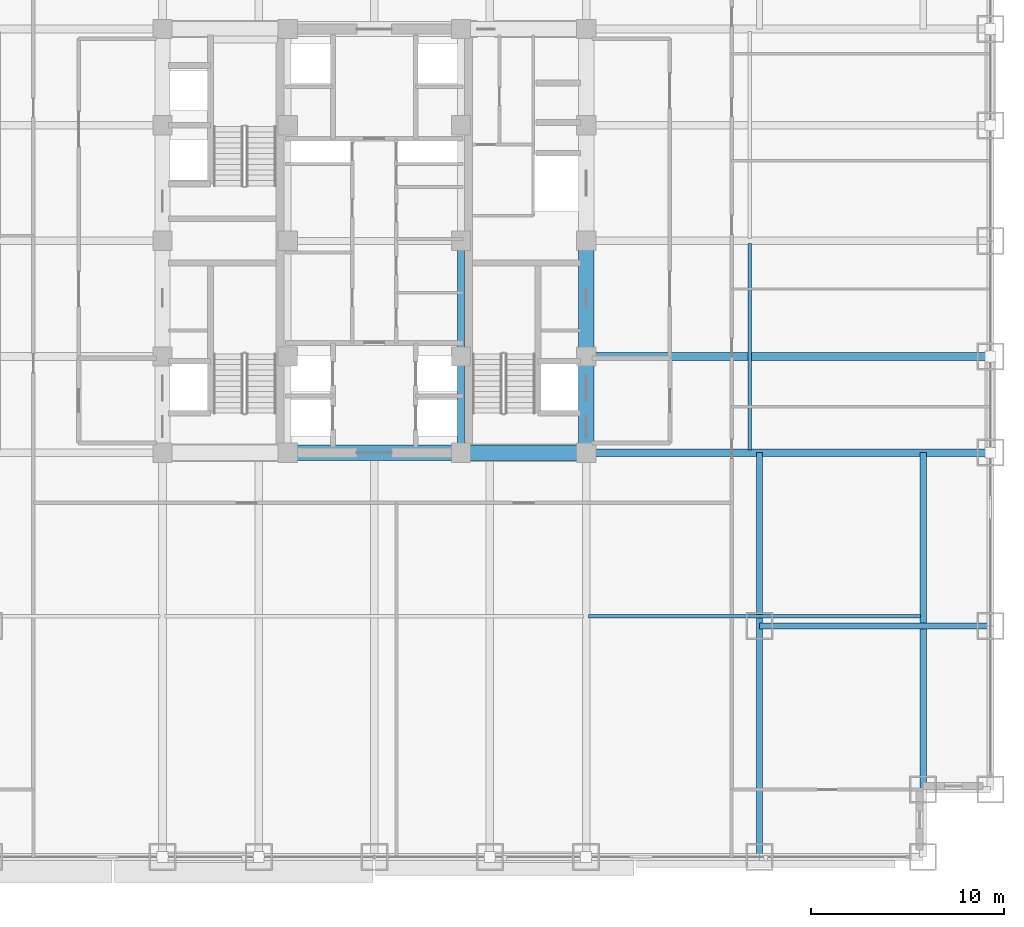
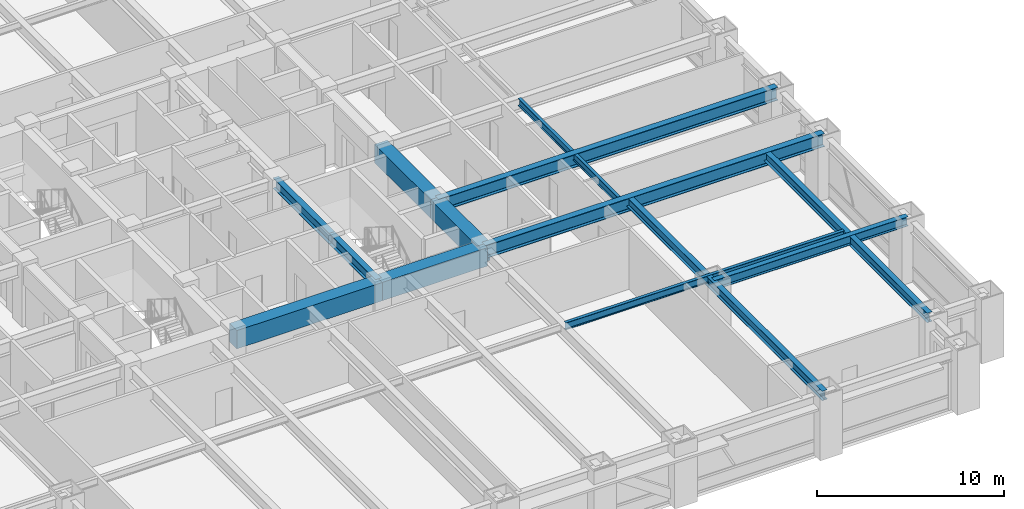
# One storey, part 7 of 32: 13 beams.
"""IFC4 building model written with IfcOpenShell, lengths in metres."""

from ifc_helpers import new_model, si_unit, direction, frame, origin, origin_2d, place, context, subcontext, project, spatial, rectangle, i_section, extrude, source, transform, mapped, material, material_profile, profile_set, type_object, element, save


model = new_model("IFC4")

# Units and contexts
model_context = context("Model", 3, precision=1e-05, world=origin(), true_north=direction((0.0, 1.0)))
body_context = subcontext(model_context, "Body", "Model", "MODEL_VIEW")
ifc_project = project(units=[si_unit("LENGTHUNIT", "METRE"), si_unit("AREAUNIT", "SQUARE_METRE"), si_unit("VOLUMEUNIT", "CUBIC_METRE"), si_unit("PLANEANGLEUNIT", "RADIAN"), si_unit("MASSUNIT", "GRAM", prefix="KILO")], contexts=[model_context])

# Site, building, storey
site_placement = place(None, origin())
site = spatial("IfcSite", under=ifc_project, at=site_placement, CompositionType="ELEMENT")
building_placement = place(site_placement, origin())
building = spatial("IfcBuilding", under=site, at=building_placement, Name="Khorayat Bourse Tower", CompositionType="ELEMENT")
storey_placement = place(building_placement, frame((0.0, 0.0, 70.39990234375)))
storey = spatial("IfcBuildingStorey", under=building, at=storey_placement, Name="L15", CompositionType="ELEMENT", Elevation=70.39990234375)

# Beams
ifc_material_1 = material(Name="Concrete C72/90", Category="concrete")
ifc_material_profile_1 = material_profile(ifc_material_1, rectangle(XDim=0.800048828125, YDim=1.199951171875, at=origin_2d()), Name="RC 800x1200")
ifc_profile_set_1 = profile_set([ifc_material_profile_1], Name="Concrete C72/90")
beam_type_1 = type_object("IfcBeamType", Name="BM-COUP-1200", PredefinedType="BEAM", material=ifc_profile_set_1)
shared_shape_1 = source(origin(), body_context, "Body", "SweptSolid", [
    extrude(rectangle(XDim=0.800048828125, YDim=1.199951171875, at=origin_2d()), origin(), (0.0, 0.0, 1.0), 5.0),
])
beam_1_placement = place(storey_placement, frame((11.0, -11.0, 3.340087890625), z_axis=(0.0, 1.0, 0.0), x_axis=(-1.0, 0.0, 0.0)))
element("IfcBeam", 1, at=beam_1_placement, inside=storey, type_object=beam_type_1, Name="L15 BM-COUP-1200 BM-L15-CRX-13", PredefinedType="BEAM", context=body_context, shape_type="MappedRepresentation", body=[
    mapped(shared_shape_1, transform((0.0, 0.0, 0.0), scale=1.0)),
])
shared_shape_2 = source(origin(), body_context, "Body", "SweptSolid", [
    extrude(rectangle(XDim=0.800048828125, YDim=1.199951171875, at=origin_2d()), origin(), (0.0, 0.0, 1.0), 6.0),
])
beam_2_placement = place(storey_placement, frame((11.0, -6.0, 3.340087890625), z_axis=(0.0, 1.0, 0.0), x_axis=(-1.0, 0.0, 0.0)))
element("IfcBeam", 2, at=beam_2_placement, inside=storey, type_object=beam_type_1, Name="L15 BM-COUP-1200 BM-L15-CRX-14", PredefinedType="BEAM", context=body_context, shape_type="MappedRepresentation", body=[
    mapped(shared_shape_2, transform((0.0, 0.0, 0.0), scale=1.0)),
])
ifc_material_2 = material(Name="Steel ASTM A992 Grade 50", Category="steel")
ifc_material_profile_2 = material_profile(ifc_material_2, i_section(OverallWidth=0.35498046875, OverallDepth=0.695068359375, WebThickness=0.015380859375, FlangeThickness=0.02490234375, FilletRadius=0.01806640625, at=origin_2d()), Name="W690X217")
ifc_profile_set_2 = profile_set([ifc_material_profile_2], Name="Steel ASTM A992 Grade 50")
beam_type_2 = type_object("IfcBeamType", Name="BM-GIRD-690", PredefinedType="BEAM", material=ifc_profile_set_2)
shared_shape_3 = source(origin(), body_context, "Body", "SweptSolid", [
    extrude(i_section(OverallWidth=0.35498046875, OverallDepth=0.695068359375, WebThickness=0.015380859375, FlangeThickness=0.02490234375, FilletRadius=0.01806640625, at=origin_2d()), origin(), (0.0, 0.0, 1.0), 5.0),
])
beam_3_placement = place(storey_placement, frame((4.5, -11.0, 3.592529296875), z_axis=(0.0, 1.0, 0.0), x_axis=(-1.0, 0.0, 0.0)))
element("IfcBeam", 3, at=beam_3_placement, inside=storey, type_object=beam_type_2, Name="L15 BM-GIRD-690 BM-L15-CRX-09", PredefinedType="BEAM", context=body_context, shape_type="MappedRepresentation", body=[
    mapped(shared_shape_3, transform((0.0, 0.0, 0.0), scale=1.0)),
])
shared_shape_4 = source(origin(), body_context, "Body", "SweptSolid", [
    extrude(i_section(OverallWidth=0.35498046875, OverallDepth=0.695068359375, WebThickness=0.015380859375, FlangeThickness=0.02490234375, FilletRadius=0.01806640625, at=origin_2d()), origin(), (0.0, 0.0, 1.0), 6.0),
])
beam_4_placement = place(storey_placement, frame((4.5, -6.0, 3.592529296875), z_axis=(0.0, 1.0, 0.0), x_axis=(-1.0, 0.0, 0.0)))
element("IfcBeam", 4, at=beam_4_placement, inside=storey, type_object=beam_type_2, Name="L15 BM-GIRD-690 BM-L15-CRX-10", PredefinedType="BEAM", context=body_context, shape_type="MappedRepresentation", body=[
    mapped(shared_shape_4, transform((0.0, 0.0, 0.0), scale=1.0)),
])
shared_shape_5 = source(origin(), body_context, "Body", "SweptSolid", [
    extrude(rectangle(XDim=0.800048828125, YDim=1.199951171875, at=origin_2d()), origin(), (0.0, 0.0, 1.0), 6.5),
])
beam_5_placement = place(storey_placement, frame((4.5, -11.0, 3.340087890625), z_axis=(1.0, 0.0, 0.0), x_axis=(0.0, 1.0, 0.0)))
element("IfcBeam", 5, at=beam_5_placement, inside=storey, type_object=beam_type_1, Name="L15 BM-COUP-1200 BM-L15-CRY-19", PredefinedType="BEAM", context=body_context, shape_type="MappedRepresentation", body=[
    mapped(shared_shape_5, transform((0.0, 0.0, 0.0), scale=1.0)),
])
shared_shape_6 = source(origin(), body_context, "Body", "SweptSolid", [
    extrude(rectangle(XDim=0.800048828125, YDim=1.199951171875, at=origin_2d()), origin(), (0.0, 0.0, 1.0), 9.0),
])
beam_6_placement = place(storey_placement, frame((-4.5, -11.0, 3.340087890625), z_axis=(1.0, 0.0, 0.0), x_axis=(0.0, 1.0, 0.0)))
element("IfcBeam", 6, at=beam_6_placement, inside=storey, type_object=beam_type_1, Name="L15 BM-COUP-1200 BM-L15-CRY-18", PredefinedType="BEAM", context=body_context, shape_type="MappedRepresentation", body=[
    mapped(shared_shape_6, transform((0.0, 0.0, 0.0), scale=1.0)),
])
ifc_material_profile_3 = material_profile(ifc_material_2, i_section(OverallWidth=0.39990234375, OverallDepth=0.85498046875, WebThickness=0.018310546875, FlangeThickness=0.029296875, FilletRadius=0.02001953125, at=origin_2d()), Name="W840X299")
ifc_profile_set_3 = profile_set([ifc_material_profile_3], Name="Steel ASTM A992 Grade 50")
beam_type_3 = type_object("IfcBeamType", Name="BM-GIRD-840", PredefinedType="BEAM", material=ifc_profile_set_3)
shared_shape_7 = source(origin(), body_context, "Body", "SweptSolid", [
    extrude(i_section(OverallWidth=0.39990234375, OverallDepth=0.85498046875, WebThickness=0.018310546875, FlangeThickness=0.029296875, FilletRadius=0.02001953125, at=origin_2d()), origin(), (0.0, 0.0, 1.0), 21.0),
])
for number, where, z_axis, x_axis, name in (
    (7, (11.0, -11.0, 3.5126953125), (1.0, 0.0, 0.0), (0.0, 1.0, 0.0), "L15 BM-GIRD-840 BM-L15-RADX-074"),
    (8, (11.0, -6.0, 3.5126953125), (1.0, 0.0, 0.0), (0.0, 1.0, 0.0), "L15 BM-GIRD-840 BM-L15-RADX-076"),
):
    element("IfcBeam", number, at=place(storey_placement, frame(where, z_axis=z_axis, x_axis=x_axis)), inside=storey, type_object=beam_type_3, Name=name, PredefinedType="BEAM", context=body_context, shape_type="MappedRepresentation", body=[
        mapped(shared_shape_7, transform((0.0, 0.0, 0.0), scale=1.0)),
    ])
ifc_material_profile_4 = material_profile(ifc_material_2, i_section(OverallWidth=0.324951171875, OverallDepth=0.615966796875, WebThickness=0.013916015625, FlangeThickness=0.021484375, FilletRadius=0.01611328125, at=origin_2d()), Name="W610X174")
ifc_profile_set_4 = profile_set([ifc_material_profile_4], Name="Steel ASTM A992 Grade 50")
beam_type_4 = type_object("IfcBeamType", Name="BM-GIRD-610", PredefinedType="BEAM", material=ifc_profile_set_4)
shared_shape_8 = source(origin(), body_context, "Body", "SweptSolid", [
    extrude(i_section(OverallWidth=0.324951171875, OverallDepth=0.615966796875, WebThickness=0.013916015625, FlangeThickness=0.021484375, FilletRadius=0.01611328125, at=origin_2d()), origin(), (0.0, 0.0, 1.0), 21.0),
])
beam_7_placement = place(storey_placement, frame((20.0, -32.0, 3.632080078125), z_axis=(0.0, 1.0, 0.0), x_axis=(-1.0, 0.0, 0.0)))
element("IfcBeam", 9, at=beam_7_placement, inside=storey, type_object=beam_type_4, Name="L15 BM-GIRD-610 BM-L15-CNRY-086", PredefinedType="BEAM", context=body_context, shape_type="MappedRepresentation", body=[
    mapped(shared_shape_8, transform((0.0, 0.0, 0.0), scale=1.0)),
])
shared_shape_9 = source(origin(), body_context, "Body", "SweptSolid", [
    extrude(i_section(OverallWidth=0.324951171875, OverallDepth=0.615966796875, WebThickness=0.013916015625, FlangeThickness=0.021484375, FilletRadius=0.01611328125, at=origin_2d()), origin(), (0.0, 0.0, 1.0), 17.5),
])
beam_8_placement = place(storey_placement, frame((28.5, -28.5, 3.632080078125), z_axis=(0.0, 1.0, 0.0), x_axis=(-1.0, 0.0, 0.0)))
element("IfcBeam", 10, at=beam_8_placement, inside=storey, type_object=beam_type_4, Name="L15 BM-GIRD-610 BM-L15-CNRY-090", PredefinedType="BEAM", context=body_context, shape_type="MappedRepresentation", body=[
    mapped(shared_shape_9, transform((0.0, 0.0, 0.0), scale=1.0)),
])
shared_shape_10 = source(origin(), body_context, "Body", "SweptSolid", [
    extrude(i_section(OverallWidth=0.324951171875, OverallDepth=0.615966796875, WebThickness=0.013916015625, FlangeThickness=0.021484375, FilletRadius=0.01611328125, at=origin_2d()), origin(), (0.0, 0.0, 1.0), 12.0),
])
beam_9_placement = place(storey_placement, frame((20.0, -20.0, 3.632080078125), z_axis=(1.0, 0.0, 0.0), x_axis=(0.0, 1.0, 0.0)))
element("IfcBeam", 11, at=beam_9_placement, inside=storey, type_object=beam_type_4, Name="L15 BM-GIRD-610 BM-L15-CNRX-092", PredefinedType="BEAM", context=body_context, shape_type="MappedRepresentation", body=[
    mapped(shared_shape_10, transform((0.0, 0.0, 0.0), scale=1.0)),
])
ifc_material_profile_5 = material_profile(ifc_material_2, i_section(OverallWidth=0.194091796875, OverallDepth=0.468994140625, WebThickness=0.0126953125, FlangeThickness=0.0205078125, FilletRadius=0.012939453125, at=origin_2d()), Name="W460X106")
ifc_profile_set_5 = profile_set([ifc_material_profile_5], Name="Steel ASTM A992 Grade 50")
beam_type_5 = type_object("IfcBeamType", Name="BM-JOIST-460", PredefinedType="JOIST", material=ifc_profile_set_5)
shared_shape_11 = source(origin(), body_context, "Body", "SweptSolid", [
    extrude(i_section(OverallWidth=0.194091796875, OverallDepth=0.468994140625, WebThickness=0.0126953125, FlangeThickness=0.0205078125, FilletRadius=0.012939453125, at=origin_2d()), origin(), (0.0, 0.0, 1.0), 17.240234375),
])
beam_10_placement = place(storey_placement, frame((11.1298828125, -19.5, 3.70556640625), z_axis=(1.0, 0.0, 0.0), x_axis=(0.0, 1.0, 0.0)))
element("IfcBeam", 12, at=beam_10_placement, inside=storey, type_object=beam_type_5, Name="L15 BM-JOIST-460 BM-L15-JSTX-098", PredefinedType="JOIST", context=body_context, shape_type="MappedRepresentation", body=[
    mapped(shared_shape_11, transform((0.0, 0.0, 0.0), scale=1.0)),
])
shared_shape_12 = source(origin(), body_context, "Body", "SweptSolid", [
    extrude(i_section(OverallWidth=0.194091796875, OverallDepth=0.468994140625, WebThickness=0.0126953125, FlangeThickness=0.0205078125, FilletRadius=0.012939453125, at=origin_2d()), origin(), (0.0, 0.0, 1.0), 10.740234375),
])
beam_11_placement = place(storey_placement, frame((19.5, -10.8701171875, 3.70556640625), z_axis=(0.0, 1.0, 0.0), x_axis=(-1.0, 0.0, 0.0)))
element("IfcBeam", 13, at=beam_11_placement, inside=storey, type_object=beam_type_5, Name="L15 BM-JOIST-460 BM-L15-JSTY-104", PredefinedType="JOIST", context=body_context, shape_type="MappedRepresentation", body=[
    mapped(shared_shape_12, transform((0.0, 0.0, 0.0), scale=1.0)),
])

save(model, "model.ifc")
